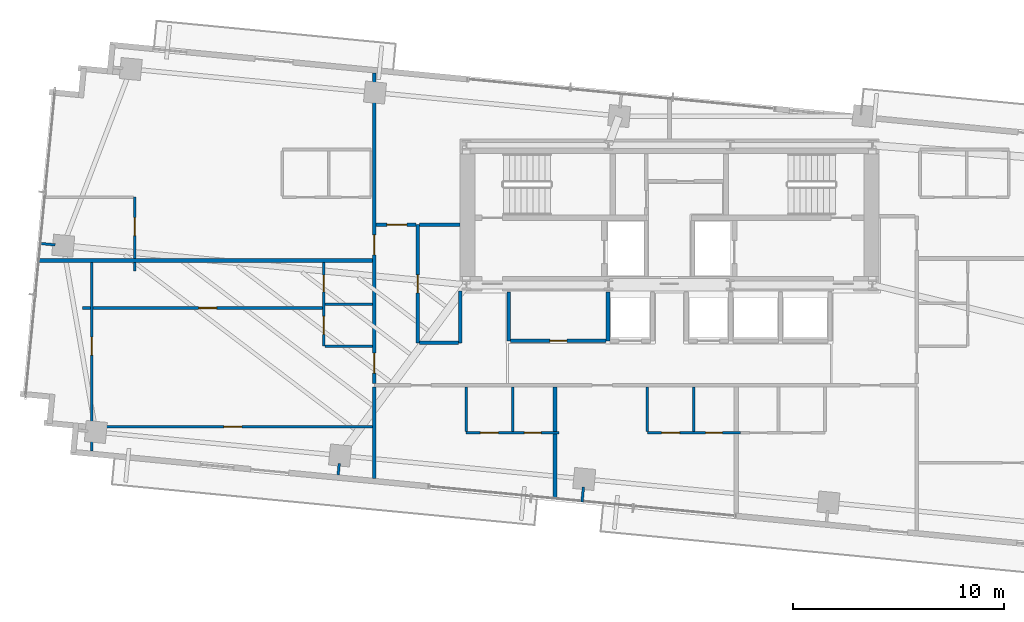
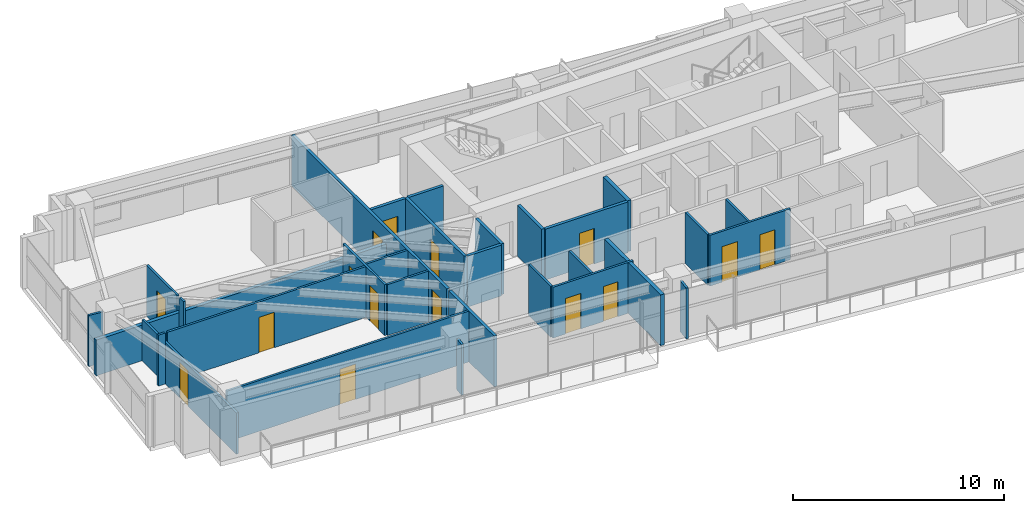
# One storey, part 15 of 20: 31 walls, 15 doors, 15 openings.
"""IFC4 building model written with IfcOpenShell, lengths in metres."""

import ifcopenshell
import ifcopenshell.guid

model = None  # the IFC model being written
_history = None  # IfcOwnerHistory: only IFC2X3 demands one
_inside = {}  # id of a spatial element -> (the spatial element, [elements in it])
_under = {}  # id of a project, library or spatial element -> (it, [spatial elements below it])
_declared = {}  # id of a project -> (the project, [libraries it declares])
_typed = {}  # id of a type object -> (the type object, [elements of that type])
_made_of = {}  # id of a material, layer set ... -> (it, [elements and type objects made of it])


def new_model(schema):
    """Start an empty IFC model of exactly this schema.

    Asked for "IFC4X3", IfcOpenShell would pick the latest addendum, in which some entities
    have other attributes; the version numbers below select the first issue.
    IFC2X3 requires an IfcOwnerHistory on every rooted entity: one is made here for all.
    """
    global model, _history
    if schema == "IFC4X3":
        model = ifcopenshell.file(schema_version=(4, 3, 0, 0))
    else:
        model = ifcopenshell.file(schema=schema)
    _inside.clear()
    _under.clear()
    _declared.clear()
    _typed.clear()
    _made_of.clear()
    _history = None
    if model.schema == "IFC2X3":
        org = make("IfcOrganization", Name="unknown")
        user = make(
            "IfcPersonAndOrganization",
            ThePerson=make("IfcPerson", FamilyName="unknown"),
            TheOrganization=org,
        )
        app = make(
            "IfcApplication",
            ApplicationDeveloper=org,
            Version="unknown",
            ApplicationFullName="unknown",
            ApplicationIdentifier="unknown",
        )
        _history = make(
            "IfcOwnerHistory",
            OwningUser=user,
            OwningApplication=app,
            ChangeAction="ADDED",
            CreationDate=0,
        )
    return model


def make(cls, **values):
    """One entity of the class cls with the attributes given. An attribute that is None is left unset."""
    return model.create_entity(
        cls, **{name: value for name, value in values.items() if value is not None}
    )


def rooted(cls, **values):
    """An entity with a GlobalId (a new one), such as an element, a storey or a relation."""
    return make(cls, GlobalId=ifcopenshell.guid.new(), OwnerHistory=_history, **values)


def si_unit(unit_type, name, prefix=None):
    """IfcSIUnit, for example si_unit("LENGTHUNIT", "METRE", prefix="MILLI")."""
    return make("IfcSIUnit", UnitType=unit_type, Prefix=prefix, Name=name)


def assignment(units):
    """IfcUnitAssignment: the units of a project."""
    return None if units is None else make("IfcUnitAssignment", Units=units)


def point(xyz):
    """IfcCartesianPoint."""
    return None if xyz is None else make("IfcCartesianPoint", Coordinates=xyz)


def direction(xyz):
    """IfcDirection."""
    return None if xyz is None else make("IfcDirection", DirectionRatios=xyz)


def frame(location, z_axis=None, x_axis=None):
    """IfcAxis2Placement3D, a coordinate frame: its origin and axes. An axis left out is left unset."""
    return make(
        "IfcAxis2Placement3D",
        Location=point(location),
        Axis=direction(z_axis),
        RefDirection=direction(x_axis),
    )


def frame_2d(location, x_axis=None):
    """IfcAxis2Placement2D, a coordinate frame in the plane: its origin and x axis."""
    return make(
        "IfcAxis2Placement2D", Location=point(location), RefDirection=direction(x_axis)
    )


def origin():
    """The frame at (0, 0, 0) with its axes left unset."""
    return frame((0.0, 0.0, 0.0))


def place(relative_to, where):
    """IfcLocalPlacement: puts the frame where relative to a parent placement (None: the world)."""
    return make(
        "IfcLocalPlacement", PlacementRelTo=relative_to, RelativePlacement=where
    )


def context(
    kind, dimensions, precision=None, world=None, true_north=None, identifier=None
):
    """IfcGeometricRepresentationContext, for example the 3D "Model" context."""
    return make(
        "IfcGeometricRepresentationContext",
        ContextIdentifier=identifier,
        ContextType=kind,
        CoordinateSpaceDimension=dimensions,
        Precision=precision,
        WorldCoordinateSystem=world,
        TrueNorth=true_north,
    )


def subcontext(parent, identifier, kind, view, scale=None):
    """IfcGeometricRepresentationSubContext, for example "Body" below "Model"."""
    return make(
        "IfcGeometricRepresentationSubContext",
        ContextIdentifier=identifier,
        ContextType=kind,
        ParentContext=parent,
        TargetScale=scale,
        TargetView=view,
    )


def project(units=None, contexts=None):
    """IfcProject with its units and contexts."""
    return rooted(
        "IfcProject",
        Name="project",
        RepresentationContexts=contexts,
        UnitsInContext=assignment(units),
    )


def spatial(cls, under=None, at=None, **own):
    """A site, building, storey or space (cls), placed at a placement, below another one or the project."""
    s = rooted(cls, ObjectPlacement=at, **own)
    if under is not None:
        _under.setdefault(under.id(), (under, []))[1].append(s)
    return s


def profile(cls, at=None, kind="AREA", **sizes):
    """A parametric profile (cls). Its sizes go by their IFC names, for example OverallWidth=200.0."""
    return make(cls, ProfileType=kind, Position=at, **sizes)


def rectangle(**sizes):
    """IfcRectangleProfileDef."""
    return profile("IfcRectangleProfileDef", **sizes)


def extrude(swept, where, along, depth):
    """IfcExtrudedAreaSolid: the profile swept, set in the frame where, extruded along a direction by depth."""
    return make(
        "IfcExtrudedAreaSolid",
        SweptArea=swept,
        Position=where,
        ExtrudedDirection=direction(along),
        Depth=depth,
    )


def shape(context_of_items, identifier, shape_type, items):
    """IfcShapeRepresentation: the items that make up one representation, for example the "Body"."""
    return make(
        "IfcShapeRepresentation",
        ContextOfItems=context_of_items,
        RepresentationIdentifier=identifier,
        RepresentationType=shape_type,
        Items=items,
    )


def source(mapping_origin, context_of_items, identifier, shape_type, items):
    """IfcRepresentationMap: a shape defined once, which mapped items show again and again."""
    return make(
        "IfcRepresentationMap",
        MappingOrigin=mapping_origin,
        MappedRepresentation=shape(context_of_items, identifier, shape_type, items),
    )


def transform(
    local_origin,
    x_axis=None,
    y_axis=None,
    z_axis=None,
    scale=None,
    scale2=None,
    scale3=None,
    uniform=True,
):
    """IfcCartesianTransformationOperator3D, or its non-uniform kind. x_axis, y_axis, z_axis: its Axis1, 2, 3."""
    if uniform:
        return make(
            "IfcCartesianTransformationOperator3D",
            Axis1=direction(x_axis),
            Axis2=direction(y_axis),
            LocalOrigin=point(local_origin),
            Scale=scale,
            Axis3=direction(z_axis),
        )
    return make(
        "IfcCartesianTransformationOperator3DnonUniform",
        Axis1=direction(x_axis),
        Axis2=direction(y_axis),
        LocalOrigin=point(local_origin),
        Scale=scale,
        Axis3=direction(z_axis),
        Scale2=scale2,
        Scale3=scale3,
    )


def mapped(mapping_source, mapping_target):
    """IfcMappedItem: shows the shape of a source again, moved by a transform."""
    return make(
        "IfcMappedItem", MappingSource=mapping_source, MappingTarget=mapping_target
    )


def material(Name=None, Category=None):
    """IfcMaterial."""
    return make("IfcMaterial", Name=Name, Category=Category)


def layer(
    of_material, thickness, ventilated=None, Name=None, Category=None, Priority=None
):
    """IfcMaterialLayer: one layer of a wall or slab, of a material (None: an air gap)."""
    return make(
        "IfcMaterialLayer",
        Material=of_material,
        LayerThickness=thickness,
        IsVentilated=ventilated,
        Name=Name,
        Category=Category,
        Priority=Priority,
    )


def layer_set(layers, Name=None):
    """IfcMaterialLayerSet."""
    return make("IfcMaterialLayerSet", MaterialLayers=layers, LayerSetName=Name)


def made_of(thing, what):
    """Note that an element or type object is made of a material, layer set ...; save() writes the relation."""
    if what is not None:
        _made_of.setdefault(what.id(), (what, []))[1].append(thing)
    return thing


def type_object(cls, material=None, **own):
    """A type object (cls), such as IfcWallType, which elements share."""
    return made_of(rooted(cls, **own), material)


def type_shapes(of_type, sources):
    """Give a type object the sources (RepresentationMaps) that its elements show as mapped items."""
    of_type.RepresentationMaps = sources


def element(
    cls,
    number,
    at=None,
    inside=None,
    cuts=None,
    type_object=None,
    material=None,
    context=None,
    identifier="Body",
    shape_type=None,
    held_by="IfcProductDefinitionShape",
    body=None,
    shapes=None,
    **own,
):
    """One element of the class cls, such as IfcWall. Its Tag is "e" and its number.

    at: its placement. inside: the storey or other place that contains it. cuts: it is an
    opening in that element (IfcRelVoidsElement). A single representation is given by context,
    identifier, shape_type and body (its items); several are given by shapes. held_by: the class
    of the entity that holds the representations. save() writes the other relations.
    """
    e = rooted(cls, Tag="e%d" % number, ObjectPlacement=at, **own)
    if body is not None:
        shapes = [shape(context, identifier, shape_type, body)]
    if shapes is not None:
        e.Representation = make(held_by, Representations=shapes)
    if inside is not None:
        _inside.setdefault(inside.id(), (inside, []))[1].append(e)
    if cuts is not None:
        rooted(
            "IfcRelVoidsElement", RelatingBuildingElement=cuts, RelatedOpeningElement=e
        )
    if type_object is not None:
        _typed.setdefault(type_object.id(), (type_object, []))[1].append(e)
    return made_of(e, material)


def fill(opening, filler):
    """IfcRelFillsElement: the door or window that sits in an opening."""
    return rooted(
        "IfcRelFillsElement",
        RelatingOpeningElement=opening,
        RelatedBuildingElement=filler,
    )


def aggregate(whole, parts):
    """IfcRelAggregates: a whole, such as a stair, and the parts it consists of."""
    return rooted("IfcRelAggregates", RelatingObject=whole, RelatedObjects=parts)


def save(model, path):
    """Write the relations noted so far, then the file.

    IfcRelAggregates (storeys below a building ...), IfcRelContainedInSpatialStructure (elements
    in a storey), IfcRelDefinesByType, IfcRelAssociatesMaterial and IfcRelDeclares: one each for
    every whole, place, type object, material and project.
    """
    for whole, parts in _under.values():
        aggregate(whole, parts)
    for where, things in _inside.values():
        rooted(
            "IfcRelContainedInSpatialStructure",
            RelatedElements=things,
            RelatingStructure=where,
        )
    for kind, things in _typed.values():
        rooted("IfcRelDefinesByType", RelatedObjects=things, RelatingType=kind)
    for what, things in _made_of.values():
        rooted("IfcRelAssociatesMaterial", RelatedObjects=things, RelatingMaterial=what)
    for by, libraries in _declared.values():
        rooted("IfcRelDeclares", RelatingContext=by, RelatedDefinitions=libraries)
    model.write(path)


model = new_model("IFC4")

# Units and contexts
model_context = context("Model", 3, precision=1e-05, world=origin(), true_north=direction((0.0, 1.0)))
body_context = subcontext(model_context, "Body", "Model", "MODEL_VIEW")
ifc_project = project(units=[si_unit("LENGTHUNIT", "METRE"), si_unit("AREAUNIT", "SQUARE_METRE"), si_unit("VOLUMEUNIT", "CUBIC_METRE"), si_unit("PLANEANGLEUNIT", "RADIAN"), si_unit("MASSUNIT", "GRAM", prefix="KILO")], contexts=[model_context])

# Site, building, storey
site_placement = place(None, origin())
site = spatial("IfcSite", under=ifc_project, at=site_placement, CompositionType="ELEMENT")
building_placement = place(site_placement, origin())
building = spatial("IfcBuilding", under=site, at=building_placement, Name="Astriad Promenade Condominiums", CompositionType="ELEMENT")
storey_placement = place(building_placement, frame((0.0, 0.0, 156.60009765625)))
storey = spatial("IfcBuildingStorey", under=building, at=storey_placement, Name="L45", CompositionType="ELEMENT", Elevation=156.60009765625)

# Wall
ifc_material_1 = material(Name="Fire-Rated Gypsum Partition")
ifc_layer_1 = layer(ifc_material_1, 0.159912109375)
ifc_layer_set_1 = layer_set([ifc_layer_1], Name="Fire-Rated Gypsum Partition")
wall_type_1 = type_object("IfcWallType", Name="WALL-CORR-160", PredefinedType="PARTITIONING", material=ifc_layer_set_1)
wall_1_placement = place(storey_placement, frame((28.39990234375, 14.75, 0.0), z_axis=(0.0, 0.0, 1.0), x_axis=(0.0, 1.0, 0.0)))
element("IfcWall", 1, at=wall_1_placement, inside=storey, type_object=wall_type_1, Name="REC-L-W-L45", PredefinedType="PARTITIONING", context=body_context, shape_type="SweptSolid", body=[
    extrude(rectangle(XDim=2.300048828125, YDim=0.159912109375, at=frame_2d((1.14990234375, 0.0))), origin(), (0.0, 0.0, 1.0), 2.93994140625),
])

# Wall, opening, door
wall_2_placement = place(storey_placement, frame((28.48193359375, 14.75, 0.0), z_axis=(0.0, 0.0, 1.0), x_axis=(1.0, 0.0, 0.0)))
wall_2 = element("IfcWall", 2, at=wall_2_placement, inside=storey, type_object=wall_type_1, Name="REC-L-S-L45", PredefinedType="PARTITIONING", context=body_context, shape_type="SweptSolid", body=[
    extrude(rectangle(XDim=4.51611328125, YDim=0.159912109375, at=frame_2d((2.258056640625, 0.0))), origin(), (0.0, 0.0, 1.0), 2.93994140625),
])
opening_1_placement = place(wall_2_placement, frame((1.867919921875, 0.0, 0.0)))
opening_1 = element("IfcOpeningElement", 3, at=opening_1_placement, cuts=wall_2, Name="Opening FD60-SV-080", PredefinedType="OPENING", context=body_context, shape_type="SweptSolid", body=[
    extrude(rectangle(XDim=0.800048828125, YDim=2.050048828125, at=frame_2d((0.39990234375, 1.02490234375))), frame((0.0, 0.08984375, 0.0), z_axis=(0.0, -1.0, 0.0), x_axis=(1.0, 0.0, 0.0)), (0.0, 0.0, 1.0), 0.179931640625),
])
ifc_material_2 = material(Name="Fire-Rated Riser Closet Door")
door_type_1 = type_object("IfcDoorType", Name="FD60-SV-080", OperationType="NOTDEFINED", PredefinedType="DOOR", material=ifc_material_2)
shared_shape_1 = source(origin(), body_context, "Body", "SweptSolid", [
    extrude(rectangle(XDim=0.800048828125, YDim=2.050048828125, at=frame_2d((0.39990234375, 1.02490234375))), frame((0.0, 0.02490234375, 0.0), z_axis=(0.0, -1.0, 0.0), x_axis=(1.0, 0.0, 0.0)), (0.0, 0.0, 1.0), 0.050048828125),
])
type_shapes(door_type_1, [shared_shape_1])
door_1_placement = place(opening_1_placement, origin())
door_1 = element("IfcDoor", 4, at=door_1_placement, inside=storey, type_object=door_type_1, Name="D-RECL-L45", OperationType="SINGLE_SWING_RIGHT", OverallHeight=2.050048828125, OverallWidth=0.800048828125, PredefinedType="DOOR", context=body_context, shape_type="MappedRepresentation", body=[
    mapped(shared_shape_1, transform((0.0, 0.0, 0.0), scale=1.0)),
])
fill(opening_1, door_1)

# Wall
wall_3_placement = place(storey_placement, frame((22.050048828125, 8.253173828125, 0.0), z_axis=(0.0, 0.0, 1.0), x_axis=(0.0, 1.0, 0.0)))
element("IfcWall", 5, at=wall_3_placement, inside=storey, type_object=wall_type_1, Name="PT-COR-W-L45", PredefinedType="PARTITIONING", context=body_context, shape_type="SweptSolid", body=[
    extrude(rectangle(XDim=4.31494140625, YDim=0.159912109375, at=frame_2d((2.157470703125, 0.0))), origin(), (0.0, 0.0, 1.0), 2.93994140625),
])

# Wall, openings, doors
wall_4_placement = place(storey_placement, frame((22.050048828125, 12.73193359375, 0.0), z_axis=(0.0, 0.0, 1.0), x_axis=(0.0, 1.0, 0.0)))
wall_4 = element("IfcWall", 6, at=wall_4_placement, inside=storey, type_object=wall_type_1, Name="PT-COR-W-L45-S2", PredefinedType="PARTITIONING", context=body_context, shape_type="SweptSolid", body=[
    extrude(rectangle(XDim=14.685302734375, YDim=0.159912109375, at=frame_2d((7.3427734375, 0.0))), origin(), (0.0, 0.0, 1.0), 2.93994140625),
])
opening_2_placement = place(wall_4_placement, frame((0.492919921875, 0.0, 0.0)))
opening_2 = element("IfcOpeningElement", 7, at=opening_2_placement, cuts=wall_4, Name="Opening FD60-APT-095", PredefinedType="OPENING", context=body_context, shape_type="SweptSolid", body=[
    extrude(rectangle(XDim=0.949951171875, YDim=2.06005859375, at=frame_2d((0.47509765625, 1.030029296875))), frame((0.0, 0.08984375, 0.0), z_axis=(0.0, -1.0, 0.0), x_axis=(1.0, 0.0, 0.0)), (0.0, 0.0, 1.0), 0.179931640625),
])
opening_3_placement = place(wall_4_placement, frame((6.0849609375, 0.0, 0.0)))
opening_3 = element("IfcOpeningElement", 8, at=opening_3_placement, cuts=wall_4, Name="Opening FD60-APT-095", PredefinedType="OPENING", context=body_context, shape_type="SweptSolid", body=[
    extrude(rectangle(XDim=0.949951171875, YDim=2.06005859375, at=frame_2d((0.47509765625, 1.030029296875))), frame((0.0, 0.08984375, 0.0), z_axis=(0.0, -1.0, 0.0), x_axis=(1.0, 0.0, 0.0)), (0.0, 0.0, 1.0), 0.179931640625),
])
ifc_material_3 = material(Name="Solid-Core Acoustic Timber Residence Entry Door", Category="wood")
door_type_2 = type_object("IfcDoorType", Name="FD60-APT-095", OperationType="NOTDEFINED", PredefinedType="DOOR", material=ifc_material_3)
shared_shape_2 = source(origin(), body_context, "Body", "SweptSolid", [
    extrude(rectangle(XDim=0.949951171875, YDim=2.06005859375, at=frame_2d((0.47509765625, 1.030029296875))), frame((0.0, 0.02490234375, 0.0), z_axis=(0.0, -1.0, 0.0), x_axis=(1.0, 0.0, 0.0)), (0.0, 0.0, 1.0), 0.050048828125),
])
type_shapes(door_type_2, [shared_shape_2])
door_2_placement = place(opening_2_placement, origin())
door_2 = element("IfcDoor", 9, at=door_2_placement, inside=storey, type_object=door_type_2, Name="D-ENT-L45-W1", OperationType="SINGLE_SWING_RIGHT", OverallHeight=2.06005859375, OverallWidth=0.949951171875, PredefinedType="DOOR", context=body_context, shape_type="MappedRepresentation", body=[
    mapped(shared_shape_2, transform((0.0, 0.0, 0.0), scale=1.0)),
])
fill(opening_2, door_2)
door_3_placement = place(opening_3_placement, origin())
door_3 = element("IfcDoor", 10, at=door_3_placement, inside=storey, type_object=door_type_2, Name="D-ENT-L45-W2", OperationType="SINGLE_SWING_RIGHT", OverallHeight=2.06005859375, OverallWidth=0.949951171875, PredefinedType="DOOR", context=body_context, shape_type="MappedRepresentation", body=[
    mapped(shared_shape_2, transform((0.0, 0.0, 0.0), scale=1.0)),
])
fill(opening_3, door_3)

# Wall, opening, door
wall_5_placement = place(storey_placement, frame((24.10009765625, 14.659912109375, 0.0), z_axis=(0.0, 0.0, 1.0), x_axis=(0.0, 1.0, 0.0)))
wall_5 = element("IfcWall", 11, at=wall_5_placement, inside=storey, type_object=wall_type_1, Name="PT-HK-E-L45", PredefinedType="PARTITIONING", context=body_context, shape_type="SweptSolid", body=[
    extrude(rectangle(XDim=5.590087890625, YDim=0.159912109375, at=frame_2d((2.794921875, 0.0))), origin(), (0.0, 0.0, 1.0), 2.93994140625),
])
opening_4_placement = place(wall_5_placement, frame((2.360107421875, 0.0, 0.0)))
opening_4 = element("IfcOpeningElement", 12, at=opening_4_placement, cuts=wall_5, Name="Opening FD60-ULOW-085", PredefinedType="OPENING", context=body_context, shape_type="SweptSolid", body=[
    extrude(rectangle(XDim=0.85009765625, YDim=2.0, at=frame_2d((0.425048828125, 1.0))), frame((0.0, 0.08984375, 0.0), z_axis=(0.0, -1.0, 0.0), x_axis=(1.0, 0.0, 0.0)), (0.0, 0.0, 1.0), 0.179931640625),
])
ifc_material_4 = material(Name="Solid-Core Low-Headroom Fire Door")
door_type_3 = type_object("IfcDoorType", Name="FD60-ULOW-085", OperationType="NOTDEFINED", PredefinedType="DOOR", material=ifc_material_4)
shared_shape_3 = source(origin(), body_context, "Body", "SweptSolid", [
    extrude(rectangle(XDim=0.85009765625, YDim=2.0, at=frame_2d((0.425048828125, 1.0))), frame((0.0, 0.02490234375, 0.0), z_axis=(0.0, -1.0, 0.0), x_axis=(1.0, 0.0, 0.0)), (0.0, 0.0, 1.0), 0.050048828125),
])
type_shapes(door_type_3, [shared_shape_3])
door_4_placement = place(opening_4_placement, origin())
door_4 = element("IfcDoor", 13, at=door_4_placement, inside=storey, type_object=door_type_3, Name="D-HKA-L45", OperationType="SINGLE_SWING_RIGHT", OverallHeight=2.0, OverallWidth=0.85009765625, PredefinedType="DOOR", context=body_context, shape_type="MappedRepresentation", body=[
    mapped(shared_shape_3, transform((0.0, 0.0, 0.0), scale=1.0)),
])
fill(opening_4, door_4)

wall_6_placement = place(storey_placement, frame((22.132080078125, 20.25, 0.0), z_axis=(0.0, 0.0, 1.0), x_axis=(1.0, 0.0, 0.0)))
wall_6 = element("IfcWall", 14, at=wall_6_placement, inside=storey, type_object=wall_type_1, Name="PT-HK-N-L45", PredefinedType="PARTITIONING", context=body_context, shape_type="SweptSolid", body=[
    extrude(rectangle(XDim=1.885986328125, YDim=0.159912109375, at=frame_2d((0.94287109375, 0.0))), origin(), (0.0, 0.0, 1.0), 2.93994140625),
])
opening_5_placement = place(wall_6_placement, frame((0.508056640625, 0.0, 0.0)))
opening_5 = element("IfcOpeningElement", 15, at=opening_5_placement, cuts=wall_6, Name="Opening FD60-APT-095", PredefinedType="OPENING", context=body_context, shape_type="SweptSolid", body=[
    extrude(rectangle(XDim=0.949951171875, YDim=2.06005859375, at=frame_2d((0.47509765625, 1.030029296875))), frame((0.0, 0.08984375, 0.0), z_axis=(0.0, -1.0, 0.0), x_axis=(1.0, 0.0, 0.0)), (0.0, 0.0, 1.0), 0.179931640625),
])
door_5_placement = place(opening_5_placement, origin())
door_5 = element("IfcDoor", 16, at=door_5_placement, inside=storey, type_object=door_type_2, Name="D-HKB-L45", OperationType="SINGLE_SWING_LEFT", OverallHeight=2.06005859375, OverallWidth=0.949951171875, PredefinedType="DOOR", context=body_context, shape_type="MappedRepresentation", body=[
    mapped(shared_shape_2, transform((0.0, 0.0, 0.0), scale=1.0)),
])
fill(opening_5, door_5)

# Walls
wall_7_placement = place(storey_placement, frame((24.181884765625, 20.25, 0.0), z_axis=(0.0, 0.0, 1.0), x_axis=(1.0, 0.0, 0.0)))
element("IfcWall", 17, at=wall_7_placement, inside=storey, type_object=wall_type_1, Name="PT-HK-N-L45-S2", PredefinedType="PARTITIONING", context=body_context, shape_type="SweptSolid", body=[
    extrude(rectangle(XDim=1.916015625, YDim=0.159912109375, at=frame_2d((0.9580078125, 0.0))), origin(), (0.0, 0.0, 1.0), 2.93994140625),
])
wall_8_placement = place(storey_placement, frame((26.1201171875, 14.659912109375, 0.0), z_axis=(0.0, 0.0, 1.0), x_axis=(0.0, 1.0, 0.0)))
element("IfcWall", 18, at=wall_8_placement, inside=storey, type_object=wall_type_1, Name="PT-WSPUR-W-L45", PredefinedType="PARTITIONING", context=body_context, shape_type="SweptSolid", body=[
    extrude(rectangle(XDim=2.43798828125, YDim=0.159912109375, at=frame_2d((1.218994140625, 0.0))), origin(), (0.0, 0.0, 1.0), 2.93994140625),
])
wall_9_placement = place(storey_placement, frame((24.181884765625, 14.659912109375, 0.0), z_axis=(0.0, 0.0, 1.0), x_axis=(1.0, 0.0, 0.0)))
element("IfcWall", 19, at=wall_9_placement, inside=storey, type_object=wall_type_1, Name="PT-HK-S-L45", PredefinedType="PARTITIONING", context=body_context, shape_type="SweptSolid", body=[
    extrude(rectangle(XDim=1.856201171875, YDim=0.159912109375, at=frame_2d((0.92822265625, 0.0))), origin(), (0.0, 0.0, 1.0), 2.93994140625),
])
ifc_material_5 = material(Name="Acoustic Double-Stud Gypsum Partition")
ifc_layer_2 = layer(ifc_material_5, 0.199951171875)
ifc_layer_set_2 = layer_set([ifc_layer_2], Name="Acoustic Double-Stud Gypsum Partition")
wall_type_2 = type_object("IfcWallType", Name="WALL-DEMISING-200", PredefinedType="PARTITIONING", material=ifc_layer_set_2)
wall_10_placement = place(storey_placement, frame((30.591064453125, 7.247802734375, 0.0), z_axis=(0.0, 0.0, 1.0), x_axis=(0.0, 1.0, 0.0)))
element("IfcWall", 20, at=wall_10_placement, inside=storey, type_object=wall_type_2, Name="PT-DEM-S1-L45", PredefinedType="PARTITIONING", context=body_context, shape_type="SweptSolid", body=[
    extrude(rectangle(XDim=3.090087890625, YDim=0.199951171875, at=frame_2d((1.544921875, 0.0))), origin(), (0.0, 0.0, 1.0), 2.93994140625),
])
wall_11_placement = place(storey_placement, frame((30.591064453125, 10.4619140625, 0.0), z_axis=(0.0, 0.0, 1.0), x_axis=(0.0, 1.0, 0.0)))
element("IfcWall", 21, at=wall_11_placement, inside=storey, type_object=wall_type_2, Name="PT-DEM-S1-L45-S2", PredefinedType="PARTITIONING", context=body_context, shape_type="SweptSolid", body=[
    extrude(rectangle(XDim=2.106201171875, YDim=0.199951171875, at=frame_2d((1.05322265625, 0.0))), origin(), (0.0, 0.0, 1.0), 2.93994140625),
])
wall_12_placement = place(storey_placement, frame((6.125, 18.550048828125, 0.0), z_axis=(0.0, 0.0, 1.0), x_axis=(1.0, 0.0, 0.0)))
element("IfcWall", 22, at=wall_12_placement, inside=storey, type_object=wall_type_2, Name="PT-DEM-WW-L45", PredefinedType="PARTITIONING", context=body_context, shape_type="SweptSolid", body=[
    extrude(rectangle(XDim=15.843017578125, YDim=0.199951171875, at=frame_2d((7.92138671875, 0.0))), origin(), (0.0, 0.0, 1.0), 2.06298828125),
])

# Wall, openings, doors
ifc_material_6 = material(Name="Acoustic Metal-Stud Gypsum Partition")
ifc_layer_3 = layer(ifc_material_6, 0.1201171875)
ifc_layer_set_3 = layer_set([ifc_layer_3], Name="Acoustic Metal-Stud Gypsum Partition")
wall_type_3 = type_object("IfcWallType", Name="WALL-PART-120", PredefinedType="PARTITIONING", material=ifc_layer_set_3)
wall_13_placement = place(storey_placement, frame((26.39111328125, 10.39990234375, 0.0), z_axis=(0.0, 0.0, 1.0), x_axis=(1.0, 0.0, 0.0)))
wall_13 = element("IfcWall", 23, at=wall_13_placement, inside=storey, type_object=wall_type_3, Name="PT-L45-S1-PS", PredefinedType="PARTITIONING", context=body_context, shape_type="SweptSolid", body=[
    extrude(rectangle(XDim=4.39990234375, YDim=0.1201171875, at=frame_2d((2.199951171875, 0.0))), origin(), (0.0, 0.0, 1.0), 2.93994140625),
])
opening_6_placement = place(wall_13_placement, frame((0.675048828125, 0.0, 0.0)))
opening_6 = element("IfcOpeningElement", 24, at=opening_6_placement, cuts=wall_13, Name="Opening D-INT-085", PredefinedType="OPENING", context=body_context, shape_type="SweptSolid", body=[
    extrude(rectangle(XDim=0.85009765625, YDim=2.050048828125, at=frame_2d((0.425048828125, 1.02490234375))), frame((0.0, 0.070068359375, 0.0), z_axis=(0.0, -1.0, 0.0), x_axis=(1.0, 0.0, 0.0)), (0.0, 0.0, 1.0), 0.14013671875),
])
opening_7_placement = place(wall_13_placement, frame((2.75, 0.0, 0.0)))
opening_7 = element("IfcOpeningElement", 25, at=opening_7_placement, cuts=wall_13, Name="Opening D-WET-080", PredefinedType="OPENING", context=body_context, shape_type="SweptSolid", body=[
    extrude(rectangle(XDim=0.800048828125, YDim=2.02001953125, at=frame_2d((0.39990234375, 1.010009765625))), frame((0.0, 0.070068359375, 0.0), z_axis=(0.0, -1.0, 0.0), x_axis=(1.0, 0.0, 0.0)), (0.0, 0.0, 1.0), 0.14013671875),
])
ifc_material_7 = material(Name="Moisture-Resistant Timber Bathroom Door", Category="wood")
door_type_4 = type_object("IfcDoorType", Name="D-WET-080", OperationType="NOTDEFINED", PredefinedType="DOOR", material=ifc_material_7)
shared_shape_4 = source(origin(), body_context, "Body", "SweptSolid", [
    extrude(rectangle(XDim=0.800048828125, YDim=2.02001953125, at=frame_2d((0.39990234375, 1.010009765625))), frame((0.0, 0.02490234375, 0.0), z_axis=(0.0, -1.0, 0.0), x_axis=(1.0, 0.0, 0.0)), (0.0, 0.0, 1.0), 0.050048828125),
])
type_shapes(door_type_4, [shared_shape_4])
door_6_placement = place(opening_7_placement, origin())
door_6 = element("IfcDoor", 26, at=door_6_placement, inside=storey, type_object=door_type_4, Name="D-BTH-L45-S1", OperationType="SINGLE_SWING_LEFT", OverallHeight=2.02001953125, OverallWidth=0.800048828125, PredefinedType="DOOR", context=body_context, shape_type="MappedRepresentation", body=[
    mapped(shared_shape_4, transform((0.0, 0.0, 0.0), scale=1.0)),
])
fill(opening_7, door_6)
ifc_material_8 = material(Name="Painted Solid-Core Timber Room Door", Category="wood")
door_type_5 = type_object("IfcDoorType", Name="D-INT-085", OperationType="NOTDEFINED", PredefinedType="DOOR", material=ifc_material_8)
shared_shape_5 = source(origin(), body_context, "Body", "SweptSolid", [
    extrude(rectangle(XDim=0.85009765625, YDim=2.050048828125, at=frame_2d((0.425048828125, 1.02490234375))), frame((0.0, 0.02490234375, 0.0), z_axis=(0.0, -1.0, 0.0), x_axis=(1.0, 0.0, 0.0)), (0.0, 0.0, 1.0), 0.050048828125),
])
type_shapes(door_type_5, [shared_shape_5])
door_7_placement = place(opening_6_placement, origin())
door_7 = element("IfcDoor", 27, at=door_7_placement, inside=storey, type_object=door_type_5, Name="D-KIT-L45-S1", OperationType="SINGLE_SWING_RIGHT", OverallHeight=2.050048828125, OverallWidth=0.85009765625, PredefinedType="DOOR", context=body_context, shape_type="MappedRepresentation", body=[
    mapped(shared_shape_5, transform((0.0, 0.0, 0.0), scale=1.0)),
])
fill(opening_6, door_7)

# Walls
for number, where, z_axis, x_axis, name in (
    (28, (26.39111328125, 10.4619140625, 0.0), (0.0, 0.0, 1.0), (0.0, 1.0, 0.0), "PT-L45-S1-PK"),
    (29, (28.591064453125, 10.4619140625, 0.0), (0.0, 0.0, 1.0), (0.0, 1.0, 0.0), "PT-L45-S1-PB"),
):
    element("IfcWall", number, at=place(storey_placement, frame(where, z_axis=z_axis, x_axis=x_axis)), inside=storey, type_object=wall_type_3, Name=name, PredefinedType="PARTITIONING", context=body_context, shape_type="SweptSolid", body=[
        extrude(rectangle(XDim=2.106201171875, YDim=0.1201171875, at=frame_2d((1.05322265625, 0.0))), origin(), (0.0, 0.0, 1.0), 2.93994140625),
    ])

# Wall, openings, doors
wall_14_placement = place(storey_placement, frame((34.958984375, 10.39990234375, 0.0), z_axis=(0.0, 0.0, 1.0), x_axis=(1.0, 0.0, 0.0)))
wall_14 = element("IfcWall", 30, at=wall_14_placement, inside=storey, type_object=wall_type_3, Name="PT-L45-S2-PS", PredefinedType="PARTITIONING", context=body_context, shape_type="SweptSolid", body=[
    extrude(rectangle(XDim=4.39990234375, YDim=0.1201171875, at=frame_2d((2.199951171875, 0.0))), origin(), (0.0, 0.0, 1.0), 2.93994140625),
])
opening_8_placement = place(wall_14_placement, frame((0.675048828125, 0.0, 0.0)))
opening_8 = element("IfcOpeningElement", 31, at=opening_8_placement, cuts=wall_14, Name="Opening D-INT-085", PredefinedType="OPENING", context=body_context, shape_type="SweptSolid", body=[
    extrude(rectangle(XDim=0.85009765625, YDim=2.050048828125, at=frame_2d((0.425048828125, 1.02490234375))), frame((0.0, 0.070068359375, 0.0), z_axis=(0.0, -1.0, 0.0), x_axis=(1.0, 0.0, 0.0)), (0.0, 0.0, 1.0), 0.14013671875),
])
opening_9_placement = place(wall_14_placement, frame((2.75, 0.0, 0.0)))
opening_9 = element("IfcOpeningElement", 32, at=opening_9_placement, cuts=wall_14, Name="Opening D-WET-080", PredefinedType="OPENING", context=body_context, shape_type="SweptSolid", body=[
    extrude(rectangle(XDim=0.800048828125, YDim=2.02001953125, at=frame_2d((0.39990234375, 1.010009765625))), frame((0.0, 0.070068359375, 0.0), z_axis=(0.0, -1.0, 0.0), x_axis=(1.0, 0.0, 0.0)), (0.0, 0.0, 1.0), 0.14013671875),
])
door_8_placement = place(opening_9_placement, origin())
door_8 = element("IfcDoor", 33, at=door_8_placement, inside=storey, type_object=door_type_4, Name="D-BTH-L45-S2", OperationType="SINGLE_SWING_RIGHT", OverallHeight=2.02001953125, OverallWidth=0.800048828125, PredefinedType="DOOR", context=body_context, shape_type="MappedRepresentation", body=[
    mapped(shared_shape_4, transform((0.0, 0.0, 0.0), scale=1.0)),
])
fill(opening_9, door_8)
door_9_placement = place(opening_8_placement, origin())
door_9 = element("IfcDoor", 34, at=door_9_placement, inside=storey, type_object=door_type_5, Name="D-KIT-L45-S2", OperationType="SINGLE_SWING_LEFT", OverallHeight=2.050048828125, OverallWidth=0.85009765625, PredefinedType="DOOR", context=body_context, shape_type="MappedRepresentation", body=[
    mapped(shared_shape_5, transform((0.0, 0.0, 0.0), scale=1.0)),
])
fill(opening_8, door_9)

# Walls
for number, where, z_axis, x_axis, name in (
    (35, (34.958984375, 10.4619140625, 0.0), (0.0, 0.0, 1.0), (0.0, 1.0, 0.0), "PT-L45-S2-PK"),
    (36, (37.158935546875, 10.4619140625, 0.0), (0.0, 0.0, 1.0), (0.0, 1.0, 0.0), "PT-L45-S2-PB"),
):
    element("IfcWall", number, at=place(storey_placement, frame(where, z_axis=z_axis, x_axis=x_axis)), inside=storey, type_object=wall_type_3, Name=name, PredefinedType="PARTITIONING", context=body_context, shape_type="SweptSolid", body=[
        extrude(rectangle(XDim=2.106201171875, YDim=0.1201171875, at=frame_2d((1.05322265625, 0.0))), origin(), (0.0, 0.0, 1.0), 2.93994140625),
    ])

# Wall, openings, doors
wall_15_placement = place(storey_placement, frame((19.64990234375, 14.5, 0.0), z_axis=(0.0, 0.0, 1.0), x_axis=(0.0, 1.0, 0.0)))
wall_15 = element("IfcWall", 37, at=wall_15_placement, inside=storey, type_object=wall_type_3, Name="PT-L45-W1-PV", PredefinedType="PARTITIONING", context=body_context, shape_type="SweptSolid", body=[
    extrude(rectangle(XDim=3.947998046875, YDim=0.1201171875, at=frame_2d((1.97412109375, 0.0))), origin(), (0.0, 0.0, 1.0), 2.93994140625),
])
opening_10_placement = place(wall_15_placement, frame((0.56298828125, 0.0, 0.0)))
opening_10 = element("IfcOpeningElement", 38, at=opening_10_placement, cuts=wall_15, Name="Opening D-INT-085", PredefinedType="OPENING", context=body_context, shape_type="SweptSolid", body=[
    extrude(rectangle(XDim=0.85009765625, YDim=2.050048828125, at=frame_2d((0.425048828125, 1.02490234375))), frame((0.0, 0.070068359375, 0.0), z_axis=(0.0, -1.0, 0.0), x_axis=(1.0, 0.0, 0.0)), (0.0, 0.0, 1.0), 0.14013671875),
])
opening_11_placement = place(wall_15_placement, frame((2.56201171875, 0.0, 0.0)))
opening_11 = element("IfcOpeningElement", 39, at=opening_11_placement, cuts=wall_15, Name="Opening D-WET-080", PredefinedType="OPENING", context=body_context, shape_type="SweptSolid", body=[
    extrude(rectangle(XDim=0.800048828125, YDim=2.02001953125, at=frame_2d((0.39990234375, 1.010009765625))), frame((0.0, 0.070068359375, 0.0), z_axis=(0.0, -1.0, 0.0), x_axis=(1.0, 0.0, 0.0)), (0.0, 0.0, 1.0), 0.14013671875),
])
door_10_placement = place(opening_11_placement, origin())
door_10 = element("IfcDoor", 40, at=door_10_placement, inside=storey, type_object=door_type_4, Name="D-BTH-L45-W1", OperationType="SINGLE_SWING_RIGHT", OverallHeight=2.02001953125, OverallWidth=0.800048828125, PredefinedType="DOOR", context=body_context, shape_type="MappedRepresentation", body=[
    mapped(shared_shape_4, transform((0.0, 0.0, 0.0), scale=1.0)),
])
fill(opening_11, door_10)
door_11_placement = place(opening_10_placement, origin())
door_11 = element("IfcDoor", 41, at=door_11_placement, inside=storey, type_object=door_type_5, Name="D-KIT-L45-W1", OperationType="SINGLE_SWING_LEFT", OverallHeight=2.050048828125, OverallWidth=0.85009765625, PredefinedType="DOOR", context=body_context, shape_type="MappedRepresentation", body=[
    mapped(shared_shape_5, transform((0.0, 0.0, 0.0), scale=1.0)),
])
fill(opening_10, door_11)

# Walls
for number, where, z_axis, x_axis, name in (
    (42, (19.7119140625, 16.47509765625, 0.0), (0.0, 0.0, 1.0), (1.0, 0.0, 0.0), "PT-L45-W1-PM"),
    (43, (19.7119140625, 14.5, 0.0), (0.0, 0.0, 1.0), (1.0, 0.0, 0.0), "PT-L45-W1-PS"),
):
    element("IfcWall", number, at=place(storey_placement, frame(where, z_axis=z_axis, x_axis=x_axis)), inside=storey, type_object=wall_type_3, Name=name, PredefinedType="PARTITIONING", context=body_context, shape_type="SweptSolid", body=[
        extrude(rectangle(XDim=2.256103515625, YDim=0.1201171875, at=frame_2d((1.1279296875, 0.0))), origin(), (0.0, 0.0, 1.0), 2.93994140625),
    ])

# Wall, opening, door
wall_16_placement = place(storey_placement, frame((8.68896484375, 9.53955078125, 0.0), z_axis=(0.0, 0.0, 1.0), x_axis=(0.0, 1.0, 0.0)))
wall_16 = element("IfcWall", 44, at=wall_16_placement, inside=storey, type_object=wall_type_3, Name="PT-L45-W1-B1", PredefinedType="PARTITIONING", context=body_context, shape_type="SweptSolid", body=[
    extrude(rectangle(XDim=8.908447265625, YDim=0.1201171875, at=frame_2d((4.4541015625, 0.0))), origin(), (0.0, 0.0, 1.0), 2.38232421875),
])
opening_12_placement = place(wall_16_placement, frame((4.54248046875, 0.0, 0.0)))
opening_12 = element("IfcOpeningElement", 45, at=opening_12_placement, cuts=wall_16, Name="Opening D-INT-085", PredefinedType="OPENING", context=body_context, shape_type="SweptSolid", body=[
    extrude(rectangle(XDim=0.85009765625, YDim=2.050048828125, at=frame_2d((0.425048828125, 1.02490234375))), frame((0.0, 0.070068359375, 0.0), z_axis=(0.0, -1.0, 0.0), x_axis=(1.0, 0.0, 0.0)), (0.0, 0.0, 1.0), 0.14013671875),
])
door_12_placement = place(opening_12_placement, origin())
door_12 = element("IfcDoor", 46, at=door_12_placement, inside=storey, type_object=door_type_5, Name="D-BD1-L45-W1", OperationType="SINGLE_SWING_LEFT", OverallHeight=2.050048828125, OverallWidth=0.85009765625, PredefinedType="DOOR", context=body_context, shape_type="MappedRepresentation", body=[
    mapped(shared_shape_5, transform((0.0, 0.0, 0.0), scale=1.0)),
])
fill(opening_12, door_12)

wall_17_placement = place(storey_placement, frame((8.7509765625, 10.694091796875, 0.0), z_axis=(0.0, 0.0, 1.0), x_axis=(1.0, 0.0, 0.0)))
wall_17 = element("IfcWall", 47, at=wall_17_placement, inside=storey, type_object=wall_type_3, Name="PT-L45-W1-WDS1", PredefinedType="PARTITIONING", context=body_context, shape_type="SweptSolid", body=[
    extrude(rectangle(XDim=13.217041015625, YDim=0.1201171875, at=frame_2d((6.6083984375, 0.0))), origin(), (0.0, 0.0, 1.0), 2.93994140625),
])
opening_13_placement = place(wall_17_placement, frame((6.18408203125, 0.0, 0.0)))
opening_13 = element("IfcOpeningElement", 48, at=opening_13_placement, cuts=wall_17, Name="Opening D-INT-085", PredefinedType="OPENING", context=body_context, shape_type="SweptSolid", body=[
    extrude(rectangle(XDim=0.85009765625, YDim=2.050048828125, at=frame_2d((0.425048828125, 1.02490234375))), frame((0.0, 0.070068359375, 0.0), z_axis=(0.0, -1.0, 0.0), x_axis=(1.0, 0.0, 0.0)), (0.0, 0.0, 1.0), 0.14013671875),
])
door_13_placement = place(opening_13_placement, origin())
door_13 = element("IfcDoor", 49, at=door_13_placement, inside=storey, type_object=door_type_5, Name="D-WDS1-L45-W1", OperationType="SINGLE_SWING_RIGHT", OverallHeight=2.050048828125, OverallWidth=0.85009765625, PredefinedType="DOOR", context=body_context, shape_type="MappedRepresentation", body=[
    mapped(shared_shape_5, transform((0.0, 0.0, 0.0), scale=1.0)),
])
fill(opening_13, door_13)

# Wall
wall_18_placement = place(storey_placement, frame((8.2490234375, 16.304931640625, 0.0), z_axis=(0.0, 0.0, 1.0), x_axis=(1.0, 0.0, 0.0)))
element("IfcWall", 50, at=wall_18_placement, inside=storey, type_object=wall_type_3, Name="PT-L45-W1-WDN2", PredefinedType="PARTITIONING", context=body_context, shape_type="SweptSolid", body=[
    extrude(rectangle(XDim=0.3779296875, YDim=0.1201171875, at=frame_2d((0.18896484375, 0.0))), origin(), (0.0, 0.0, 1.0), 2.93994140625),
])

# Wall, opening, door
wall_19_placement = place(storey_placement, frame((8.7509765625, 16.304931640625, 0.0), z_axis=(0.0, 0.0, 1.0), x_axis=(1.0, 0.0, 0.0)))
wall_19 = element("IfcWall", 51, at=wall_19_placement, inside=storey, type_object=wall_type_3, Name="PT-L45-W1-WDN2-S2", PredefinedType="PARTITIONING", context=body_context, shape_type="SweptSolid", body=[
    extrude(rectangle(XDim=10.8369140625, YDim=0.1201171875, at=frame_2d((5.41845703125, 0.0))), origin(), (0.0, 0.0, 1.0), 2.93994140625),
])
opening_14_placement = place(wall_19_placement, frame((4.992919921875, 0.0, 0.0)))
opening_14 = element("IfcOpeningElement", 52, at=opening_14_placement, cuts=wall_19, Name="Opening D-INT-085", PredefinedType="OPENING", context=body_context, shape_type="SweptSolid", body=[
    extrude(rectangle(XDim=0.85009765625, YDim=2.050048828125, at=frame_2d((0.425048828125, 1.02490234375))), frame((0.0, 0.070068359375, 0.0), z_axis=(0.0, -1.0, 0.0), x_axis=(1.0, 0.0, 0.0)), (0.0, 0.0, 1.0), 0.14013671875),
])
door_14_placement = place(opening_14_placement, origin())
door_14 = element("IfcDoor", 53, at=door_14_placement, inside=storey, type_object=door_type_5, Name="D-WDN2-L45-W1", OperationType="SINGLE_SWING_LEFT", OverallHeight=2.050048828125, OverallWidth=0.85009765625, PredefinedType="DOOR", context=body_context, shape_type="MappedRepresentation", body=[
    mapped(shared_shape_5, transform((0.0, 0.0, 0.0), scale=1.0)),
])
fill(opening_14, door_14)

# Wall
wall_20_placement = place(storey_placement, frame((10.714111328125, 18.050048828125, 0.0), z_axis=(0.0, 0.0, 1.0), x_axis=(0.0, 1.0, 0.0)))
element("IfcWall", 54, at=wall_20_placement, inside=storey, type_object=wall_type_3, Name="PT-L45-W2-CAP1", PredefinedType="PARTITIONING", context=body_context, shape_type="SweptSolid", body=[
    extrude(rectangle(XDim=0.39794921875, YDim=0.1201171875, at=frame_2d((0.198974609375, 0.0))), origin(), (0.0, 0.0, 1.0), 2.93994140625),
])

# Wall, opening, door
wall_21_placement = place(storey_placement, frame((10.714111328125, 18.652099609375, 0.0), z_axis=(0.0, 0.0, 1.0), x_axis=(0.0, 1.0, 0.0)))
wall_21 = element("IfcWall", 55, at=wall_21_placement, inside=storey, type_object=wall_type_3, Name="PT-L45-W2-CAP1-S2", PredefinedType="PARTITIONING", context=body_context, shape_type="SweptSolid", body=[
    extrude(rectangle(XDim=2.89794921875, YDim=0.1201171875, at=frame_2d((1.448974609375, 0.0))), origin(), (0.0, 0.0, 1.0), 2.93994140625),
])
opening_15_placement = place(wall_21_placement, frame((1.072998046875, 0.0, 0.0)))
opening_15 = element("IfcOpeningElement", 56, at=opening_15_placement, cuts=wall_21, Name="Opening D-INT-085", PredefinedType="OPENING", context=body_context, shape_type="SweptSolid", body=[
    extrude(rectangle(XDim=0.85009765625, YDim=2.050048828125, at=frame_2d((0.425048828125, 1.02490234375))), frame((0.0, 0.070068359375, 0.0), z_axis=(0.0, -1.0, 0.0), x_axis=(1.0, 0.0, 0.0)), (0.0, 0.0, 1.0), 0.14013671875),
])
door_15_placement = place(opening_15_placement, origin())
door_15 = element("IfcDoor", 57, at=door_15_placement, inside=storey, type_object=door_type_5, Name="D-CAP1-L45-W2", OperationType="SINGLE_SWING_LEFT", OverallHeight=2.050048828125, OverallWidth=0.85009765625, PredefinedType="DOOR", context=body_context, shape_type="MappedRepresentation", body=[
    mapped(shared_shape_5, transform((0.0, 0.0, 0.0), scale=1.0)),
])
fill(opening_15, door_15)

# Walls
wall_22_placement = place(storey_placement, frame((20.390869140625, 8.953125, 0.0), z_axis=(0.0, 0.0, 1.0), x_axis=(-0.096222656154, -0.995359834654, 0.0)))
element("IfcWall", 58, at=wall_22_placement, inside=storey, type_object=wall_type_3, Name="PT-PIL-L45-PC02-9", PredefinedType="PARTITIONING", context=body_context, shape_type="SweptSolid", body=[
    extrude(rectangle(XDim=0.537841796875, YDim=0.1201171875, at=frame_2d((0.26904296875, 0.0))), origin(), (0.0, 0.0, 1.0), 2.93994140625),
])
wall_23_placement = place(storey_placement, frame((31.9375, 7.84130859375, 0.0), z_axis=(0.0, 0.0, 1.0), x_axis=(-0.095977354523, -0.995383517755, 0.0)))
element("IfcWall", 59, at=wall_23_placement, inside=storey, type_object=wall_type_3, Name="PT-PIL-L45-PC03-10", PredefinedType="PARTITIONING", context=body_context, shape_type="SweptSolid", body=[
    extrude(rectangle(XDim=0.719970703125, YDim=0.1201171875, at=frame_2d((0.35986328125, 0.0))), origin(), (0.0, 0.0, 1.0), 2.93994140625),
])
wall_24_placement = place(storey_placement, frame((6.95947265625, 19.2880859375, 0.0), z_axis=(0.0, 0.0, 1.0), x_axis=(-0.995377786728, 0.096036772582, 0.0)))
element("IfcWall", 60, at=wall_24_placement, inside=storey, type_object=wall_type_3, Name="PT-PIL-L45-PC11-18", PredefinedType="PARTITIONING", context=body_context, shape_type="SweptSolid", body=[
    extrude(rectangle(XDim=0.760009765625, YDim=0.1201171875, at=frame_2d((0.3798828125, 0.0))), origin(), (0.0, 0.0, 1.0), 2.93994140625),
])
ifc_material_9 = material(Name="Gypsum Shaftliner Assembly")
ifc_layer_4 = layer(ifc_material_9, 0.199951171875)
ifc_layer_set_4 = layer_set([ifc_layer_4], Name="Gypsum Shaftliner Assembly")
wall_type_4 = type_object("IfcWallType", Name="WALL-SHAFT-200", PredefinedType="PARTITIONING", material=ifc_layer_set_4)
wall_25_placement = place(storey_placement, frame((33.10009765625, 14.75, 0.0), z_axis=(0.0, 0.0, 1.0), x_axis=(0.0, 1.0, 0.0)))
element("IfcWall", 61, at=wall_25_placement, inside=storey, type_object=wall_type_4, Name="REC-L-E-L45", PredefinedType="PARTITIONING", context=body_context, shape_type="SweptSolid", body=[
    extrude(rectangle(XDim=2.300048828125, YDim=0.199951171875, at=frame_2d((1.14990234375, 0.0))), origin(), (0.0, 0.0, 1.0), 2.93994140625),
])

save(model, "model.ifc")
